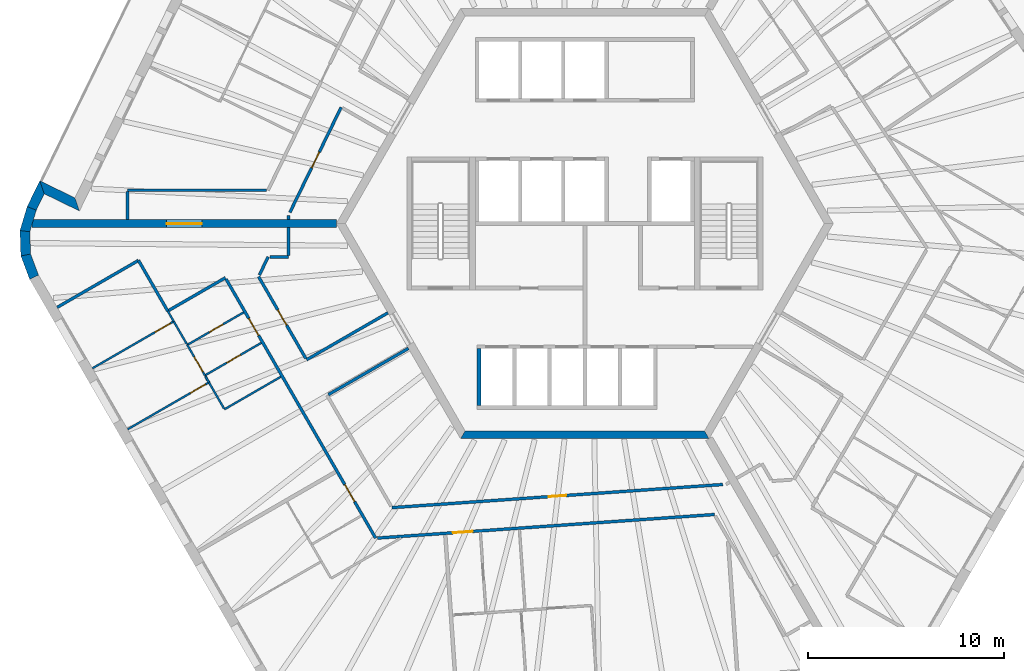
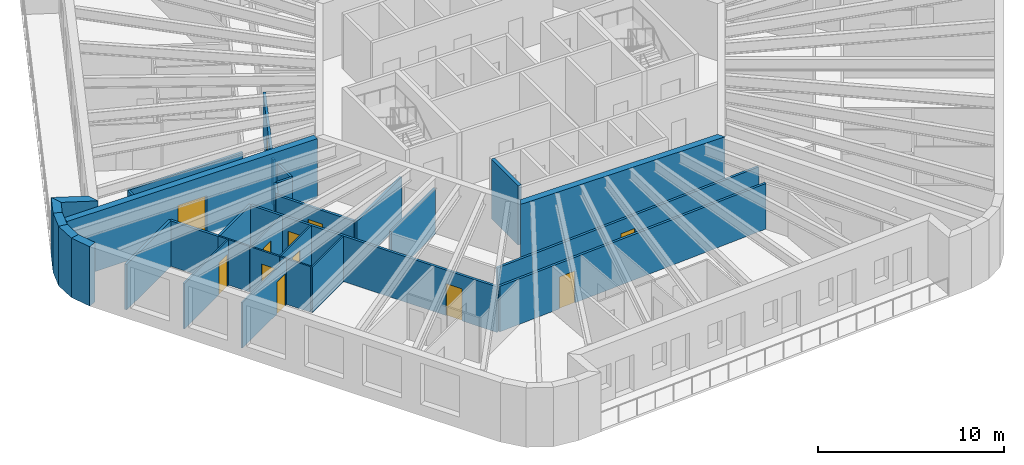
# One storey, part 4 of 12: 34 walls, 12 doors, 12 openings.
"""IFC4 building model written with IfcOpenShell, lengths in metres."""

import ifcopenshell
import ifcopenshell.guid

model = None  # the IFC model being written
_history = None  # IfcOwnerHistory: only IFC2X3 demands one
_inside = {}  # id of a spatial element -> (the spatial element, [elements in it])
_under = {}  # id of a project, library or spatial element -> (it, [spatial elements below it])
_declared = {}  # id of a project -> (the project, [libraries it declares])
_typed = {}  # id of a type object -> (the type object, [elements of that type])
_made_of = {}  # id of a material, layer set ... -> (it, [elements and type objects made of it])


def new_model(schema):
    """Start an empty IFC model of exactly this schema.

    Asked for "IFC4X3", IfcOpenShell would pick the latest addendum, in which some entities
    have other attributes; the version numbers below select the first issue.
    IFC2X3 requires an IfcOwnerHistory on every rooted entity: one is made here for all.
    """
    global model, _history
    if schema == "IFC4X3":
        model = ifcopenshell.file(schema_version=(4, 3, 0, 0))
    else:
        model = ifcopenshell.file(schema=schema)
    _inside.clear()
    _under.clear()
    _declared.clear()
    _typed.clear()
    _made_of.clear()
    _history = None
    if model.schema == "IFC2X3":
        org = make("IfcOrganization", Name="unknown")
        user = make(
            "IfcPersonAndOrganization",
            ThePerson=make("IfcPerson", FamilyName="unknown"),
            TheOrganization=org,
        )
        app = make(
            "IfcApplication",
            ApplicationDeveloper=org,
            Version="unknown",
            ApplicationFullName="unknown",
            ApplicationIdentifier="unknown",
        )
        _history = make(
            "IfcOwnerHistory",
            OwningUser=user,
            OwningApplication=app,
            ChangeAction="ADDED",
            CreationDate=0,
        )
    return model


def make(cls, **values):
    """One entity of the class cls with the attributes given. An attribute that is None is left unset."""
    return model.create_entity(
        cls, **{name: value for name, value in values.items() if value is not None}
    )


def rooted(cls, **values):
    """An entity with a GlobalId (a new one), such as an element, a storey or a relation."""
    return make(cls, GlobalId=ifcopenshell.guid.new(), OwnerHistory=_history, **values)


def si_unit(unit_type, name, prefix=None):
    """IfcSIUnit, for example si_unit("LENGTHUNIT", "METRE", prefix="MILLI")."""
    return make("IfcSIUnit", UnitType=unit_type, Prefix=prefix, Name=name)


def assignment(units):
    """IfcUnitAssignment: the units of a project."""
    return None if units is None else make("IfcUnitAssignment", Units=units)


def point(xyz):
    """IfcCartesianPoint."""
    return None if xyz is None else make("IfcCartesianPoint", Coordinates=xyz)


def direction(xyz):
    """IfcDirection."""
    return None if xyz is None else make("IfcDirection", DirectionRatios=xyz)


def frame(location, z_axis=None, x_axis=None):
    """IfcAxis2Placement3D, a coordinate frame: its origin and axes. An axis left out is left unset."""
    return make(
        "IfcAxis2Placement3D",
        Location=point(location),
        Axis=direction(z_axis),
        RefDirection=direction(x_axis),
    )


def frame_2d(location, x_axis=None):
    """IfcAxis2Placement2D, a coordinate frame in the plane: its origin and x axis."""
    return make(
        "IfcAxis2Placement2D", Location=point(location), RefDirection=direction(x_axis)
    )


def origin():
    """The frame at (0, 0, 0) with its axes left unset."""
    return frame((0.0, 0.0, 0.0))


def place(relative_to, where):
    """IfcLocalPlacement: puts the frame where relative to a parent placement (None: the world)."""
    return make(
        "IfcLocalPlacement", PlacementRelTo=relative_to, RelativePlacement=where
    )


def context(
    kind, dimensions, precision=None, world=None, true_north=None, identifier=None
):
    """IfcGeometricRepresentationContext, for example the 3D "Model" context."""
    return make(
        "IfcGeometricRepresentationContext",
        ContextIdentifier=identifier,
        ContextType=kind,
        CoordinateSpaceDimension=dimensions,
        Precision=precision,
        WorldCoordinateSystem=world,
        TrueNorth=true_north,
    )


def subcontext(parent, identifier, kind, view, scale=None):
    """IfcGeometricRepresentationSubContext, for example "Body" below "Model"."""
    return make(
        "IfcGeometricRepresentationSubContext",
        ContextIdentifier=identifier,
        ContextType=kind,
        ParentContext=parent,
        TargetScale=scale,
        TargetView=view,
    )


def project(units=None, contexts=None):
    """IfcProject with its units and contexts."""
    return rooted(
        "IfcProject",
        Name="project",
        RepresentationContexts=contexts,
        UnitsInContext=assignment(units),
    )


def spatial(cls, under=None, at=None, **own):
    """A site, building, storey or space (cls), placed at a placement, below another one or the project."""
    s = rooted(cls, ObjectPlacement=at, **own)
    if under is not None:
        _under.setdefault(under.id(), (under, []))[1].append(s)
    return s


def polyline(points):
    """IfcPolyline through the points."""
    return make("IfcPolyline", Points=[point(p) for p in points])


def profile(cls, at=None, kind="AREA", **sizes):
    """A parametric profile (cls). Its sizes go by their IFC names, for example OverallWidth=200.0."""
    return make(cls, ProfileType=kind, Position=at, **sizes)


def rectangle(**sizes):
    """IfcRectangleProfileDef."""
    return profile("IfcRectangleProfileDef", **sizes)


def outline(outer, holes=None, kind="AREA"):
    """IfcArbitraryClosedProfileDef: a profile drawn as a closed curve; with holes, ...WithVoids."""
    if holes is None:
        return make("IfcArbitraryClosedProfileDef", ProfileType=kind, OuterCurve=outer)
    return make(
        "IfcArbitraryProfileDefWithVoids",
        ProfileType=kind,
        OuterCurve=outer,
        InnerCurves=holes,
    )


def extrude(swept, where, along, depth):
    """IfcExtrudedAreaSolid: the profile swept, set in the frame where, extruded along a direction by depth."""
    return make(
        "IfcExtrudedAreaSolid",
        SweptArea=swept,
        Position=where,
        ExtrudedDirection=direction(along),
        Depth=depth,
    )


def shape(context_of_items, identifier, shape_type, items):
    """IfcShapeRepresentation: the items that make up one representation, for example the "Body"."""
    return make(
        "IfcShapeRepresentation",
        ContextOfItems=context_of_items,
        RepresentationIdentifier=identifier,
        RepresentationType=shape_type,
        Items=items,
    )


def material(Name=None, Category=None):
    """IfcMaterial."""
    return make("IfcMaterial", Name=Name, Category=Category)


def layer(
    of_material, thickness, ventilated=None, Name=None, Category=None, Priority=None
):
    """IfcMaterialLayer: one layer of a wall or slab, of a material (None: an air gap)."""
    return make(
        "IfcMaterialLayer",
        Material=of_material,
        LayerThickness=thickness,
        IsVentilated=ventilated,
        Name=Name,
        Category=Category,
        Priority=Priority,
    )


def layer_set(layers, Name=None):
    """IfcMaterialLayerSet."""
    return make("IfcMaterialLayerSet", MaterialLayers=layers, LayerSetName=Name)


def made_of(thing, what):
    """Note that an element or type object is made of a material, layer set ...; save() writes the relation."""
    if what is not None:
        _made_of.setdefault(what.id(), (what, []))[1].append(thing)
    return thing


def type_object(cls, material=None, **own):
    """A type object (cls), such as IfcWallType, which elements share."""
    return made_of(rooted(cls, **own), material)


def element(
    cls,
    number,
    at=None,
    inside=None,
    cuts=None,
    type_object=None,
    material=None,
    context=None,
    identifier="Body",
    shape_type=None,
    held_by="IfcProductDefinitionShape",
    body=None,
    shapes=None,
    **own,
):
    """One element of the class cls, such as IfcWall. Its Tag is "e" and its number.

    at: its placement. inside: the storey or other place that contains it. cuts: it is an
    opening in that element (IfcRelVoidsElement). A single representation is given by context,
    identifier, shape_type and body (its items); several are given by shapes. held_by: the class
    of the entity that holds the representations. save() writes the other relations.
    """
    e = rooted(cls, Tag="e%d" % number, ObjectPlacement=at, **own)
    if body is not None:
        shapes = [shape(context, identifier, shape_type, body)]
    if shapes is not None:
        e.Representation = make(held_by, Representations=shapes)
    if inside is not None:
        _inside.setdefault(inside.id(), (inside, []))[1].append(e)
    if cuts is not None:
        rooted(
            "IfcRelVoidsElement", RelatingBuildingElement=cuts, RelatedOpeningElement=e
        )
    if type_object is not None:
        _typed.setdefault(type_object.id(), (type_object, []))[1].append(e)
    return made_of(e, material)


def fill(opening, filler):
    """IfcRelFillsElement: the door or window that sits in an opening."""
    return rooted(
        "IfcRelFillsElement",
        RelatingOpeningElement=opening,
        RelatedBuildingElement=filler,
    )


def aggregate(whole, parts):
    """IfcRelAggregates: a whole, such as a stair, and the parts it consists of."""
    return rooted("IfcRelAggregates", RelatingObject=whole, RelatedObjects=parts)


def save(model, path):
    """Write the relations noted so far, then the file.

    IfcRelAggregates (storeys below a building ...), IfcRelContainedInSpatialStructure (elements
    in a storey), IfcRelDefinesByType, IfcRelAssociatesMaterial and IfcRelDeclares: one each for
    every whole, place, type object, material and project.
    """
    for whole, parts in _under.values():
        aggregate(whole, parts)
    for where, things in _inside.values():
        rooted(
            "IfcRelContainedInSpatialStructure",
            RelatedElements=things,
            RelatingStructure=where,
        )
    for kind, things in _typed.values():
        rooted("IfcRelDefinesByType", RelatedObjects=things, RelatingType=kind)
    for what, things in _made_of.values():
        rooted("IfcRelAssociatesMaterial", RelatedObjects=things, RelatingMaterial=what)
    for by, libraries in _declared.values():
        rooted("IfcRelDeclares", RelatingContext=by, RelatedDefinitions=libraries)
    model.write(path)


model = new_model("IFC4")

# Units and contexts
model_context = context("Model", 3, precision=1e-05, world=origin(), true_north=direction((0.0, 1.0)))
body_context = subcontext(model_context, "Body", "Model", "MODEL_VIEW")
ifc_project = project(units=[si_unit("LENGTHUNIT", "METRE"), si_unit("AREAUNIT", "SQUARE_METRE"), si_unit("VOLUMEUNIT", "CUBIC_METRE"), si_unit("PLANEANGLEUNIT", "RADIAN"), si_unit("MASSUNIT", "GRAM", prefix="KILO")], contexts=[model_context])

# Site, building, storey
site_placement = place(None, origin())
site = spatial("IfcSite", under=ifc_project, at=site_placement, CompositionType="ELEMENT")
building_placement = place(site_placement, origin())
building = spatial("IfcBuilding", under=site, at=building_placement, Name="Tarnside Tower", CompositionType="ELEMENT")
storey_placement = place(building_placement, frame((0.0, 0.0, 283.5)))
storey = spatial("IfcBuildingStorey", under=building, at=storey_placement, Name="L68", CompositionType="ELEMENT", Elevation=283.5)

# Walls
ifc_material_1 = material(Name="Gypsum board partition on steel studs", Category="steel")
ifc_layer_1 = layer(ifc_material_1, 0.10009765625)
ifc_layer_set_1 = layer_set([ifc_layer_1], Name="Bathroom wall 100")
wall_type_1 = type_object("IfcWallType", Name="Bathroom wall 100", PredefinedType="PARTITIONING", material=ifc_layer_set_1)
wall_1_placement = place(storey_placement, frame((-15.540283203125, -7.83349609375, 0.0), z_axis=(0.0, 0.0, 1.0), x_axis=(-0.866020521143, -0.500008456887, 0.0)))
element("IfcWall", 1, at=wall_1_placement, inside=storey, type_object=wall_type_1, Name="Bathroom wall 22118", PredefinedType="PARTITIONING", context=body_context, shape_type="SweptSolid", body=[
    extrude(rectangle(XDim=3.3251953125, YDim=0.10009765625, at=frame_2d((1.66259765625, 0.0))), origin(), (0.0, 0.0, 1.0), 2.98779296875),
])
wall_2_placement = place(storey_placement, frame((-18.44482421875, -9.45263671875, 0.0), z_axis=(0.0, 0.0, 1.0), x_axis=(-0.500024172624, 0.866011447264, 0.0)))
element("IfcWall", 2, at=wall_2_placement, inside=storey, type_object=wall_type_1, Name="Bathroom wall 22119", PredefinedType="PARTITIONING", context=body_context, shape_type="SweptSolid", body=[
    extrude(rectangle(XDim=1.541015625, YDim=0.10009765625, at=frame_2d((0.7705078125, 0.0))), origin(), (0.0, 0.0, 1.0), 2.98779296875),
])

# Wall, opening, door
wall_3_placement = place(storey_placement, frame((-17.440185546875, -4.54248046875, 0.0), z_axis=(0.0, 0.0, 1.0), x_axis=(-0.866020521143, -0.500008456887, 0.0)))
wall_3 = element("IfcWall", 3, at=wall_3_placement, inside=storey, type_object=wall_type_1, Name="Bathroom wall 22122", PredefinedType="PARTITIONING", context=body_context, shape_type="SweptSolid", body=[
    extrude(rectangle(XDim=3.3251953125, YDim=0.10009765625, at=frame_2d((1.66259765625, 0.0))), origin(), (0.0, 0.0, 1.0), 2.98779296875),
])
opening_1_placement = place(wall_3_placement, frame((1.22509765625, 0.0, 0.0)))
opening_1 = element("IfcOpeningElement", 4, at=opening_1_placement, cuts=wall_3, Name="Opening D-B1", PredefinedType="OPENING", context=body_context, shape_type="SweptSolid", body=[
    extrude(rectangle(XDim=0.800048828125, YDim=2.10009765625, at=frame_2d((0.39990234375, 1.050048828125))), frame((0.0, 0.06005859375, 0.0), z_axis=(0.0, -1.0, 0.0), x_axis=(1.0, 0.0, 0.0)), (0.0, 0.0, 1.0), 0.1201171875),
])
ifc_material_2 = material(Name="Timber door leaf", Category="wood")
door_type_1 = type_object("IfcDoorType", Name="Bathroom door 800", OperationType="NOTDEFINED", PredefinedType="DOOR", material=ifc_material_2)
door_1_placement = place(opening_1_placement, origin())
door_1 = element("IfcDoor", 5, at=door_1_placement, inside=storey, type_object=door_type_1, Name="Bathroom door 22031", OperationType="SINGLE_SWING_RIGHT", OverallHeight=2.10009765625, OverallWidth=0.800048828125, PredefinedType="DOOR", context=body_context, shape_type="SweptSolid", body=[
    extrude(rectangle(XDim=0.800048828125, YDim=2.10009765625, at=frame_2d((0.39990234375, 1.050048828125))), frame((0.0, 0.02490234375, 0.0), z_axis=(0.0, -1.0, 0.0), x_axis=(1.0, 0.0, 0.0)), (0.0, 0.0, 1.0), 0.050048828125),
])
fill(opening_1, door_1)

wall_4_placement = place(storey_placement, frame((-19.419677734375, -7.763916015625, 0.0), z_axis=(0.0, 0.0, 1.0), x_axis=(0.866002163101, 0.500040251884, 0.0)))
wall_4 = element("IfcWall", 6, at=wall_4_placement, inside=storey, type_object=wall_type_1, Name="Bathroom wall 22124", PredefinedType="PARTITIONING", context=body_context, shape_type="SweptSolid", body=[
    extrude(rectangle(XDim=3.324951171875, YDim=0.10009765625, at=frame_2d((1.66259765625, 0.0))), origin(), (0.0, 0.0, 1.0), 2.98779296875),
])
opening_2_placement = place(wall_4_placement, frame((1.300048828125, 0.0, 0.0)))
opening_2 = element("IfcOpeningElement", 7, at=opening_2_placement, cuts=wall_4, Name="Opening D-B1", PredefinedType="OPENING", context=body_context, shape_type="SweptSolid", body=[
    extrude(rectangle(XDim=0.800048828125, YDim=2.10009765625, at=frame_2d((0.39990234375, 1.050048828125))), frame((0.0, 0.06005859375, 0.0), z_axis=(0.0, -1.0, 0.0), x_axis=(1.0, 0.0, 0.0)), (0.0, 0.0, 1.0), 0.1201171875),
])
door_2_placement = place(opening_2_placement, origin())
door_2 = element("IfcDoor", 8, at=door_2_placement, inside=storey, type_object=door_type_1, Name="Bathroom door 22040", OperationType="SINGLE_SWING_LEFT", OverallHeight=2.10009765625, OverallWidth=0.800048828125, PredefinedType="DOOR", context=body_context, shape_type="SweptSolid", body=[
    extrude(rectangle(XDim=0.800048828125, YDim=2.10009765625, at=frame_2d((0.39990234375, 1.050048828125))), frame((0.0, 0.02490234375, 0.0), z_axis=(0.0, -1.0, 0.0), x_axis=(1.0, 0.0, 0.0)), (0.0, 0.0, 1.0), 0.050048828125),
])
fill(opening_2, door_2)

# Walls
wall_5_placement = place(storey_placement, frame((-21.32080078125, -4.47119140625, 0.0), z_axis=(0.0, 0.0, 1.0), x_axis=(0.499779910804, -0.866152435058, 0.0)))
element("IfcWall", 9, at=wall_5_placement, inside=storey, type_object=wall_type_1, Name="Bathroom wall 22125", PredefinedType="PARTITIONING", context=body_context, shape_type="SweptSolid", body=[
    extrude(rectangle(XDim=0.613037109375, YDim=0.10009765625, at=frame_2d((0.306640625, 0.0))), origin(), (0.0, 0.0, 1.0), 2.98779296875),
])
wall_6_placement = place(storey_placement, frame((-21.014404296875, -5.002197265625, 0.0), z_axis=(0.0, 0.0, 1.0), x_axis=(0.500074377092, -0.865982457891, 0.0)))
element("IfcWall", 10, at=wall_6_placement, inside=storey, type_object=wall_type_1, Name="Bathroom wall 22126", PredefinedType="PARTITIONING", context=body_context, shape_type="SweptSolid", body=[
    extrude(rectangle(XDim=1.341064453125, YDim=0.10009765625, at=frame_2d((0.67041015625, 0.0))), origin(), (0.0, 0.0, 1.0), 2.98779296875),
])
wall_7_placement = place(storey_placement, frame((-19.21337890625, -8.12158203125, 0.0), z_axis=(0.0, 0.0, 1.0), x_axis=(-0.499683639304, 0.866207977689, 0.0)))
element("IfcWall", 11, at=wall_7_placement, inside=storey, type_object=wall_type_1, Name="Bathroom wall 22128", PredefinedType="PARTITIONING", context=body_context, shape_type="SweptSolid", body=[
    extrude(rectangle(XDim=0.363037109375, YDim=0.10009765625, at=frame_2d((0.181640625, 0.0))), origin(), (0.0, 0.0, 1.0), 2.98779296875),
])
ifc_material_3 = material(Name="Concrete C60/75", Category="concrete")
ifc_layer_2 = layer(ifc_material_3, 0.39990234375)
ifc_layer_set_2 = layer_set([ifc_layer_2], Name="Core wall Z3 400 C60/75")
wall_type_2 = type_object("IfcWallType", Name="Core wall Z3 400 C60/75", PredefinedType="SHEAR", material=ifc_layer_set_2)
wall_8_placement = place(storey_placement, frame((-6.2353515625, -10.800048828125, -0.14990234375), z_axis=(0.0, 0.0, 1.0), x_axis=(1.0, 0.0, 0.0)))
element("IfcWall", 12, at=wall_8_placement, inside=storey, type_object=wall_type_2, Name="L68 core wall face 4", PredefinedType="SHEAR", context=body_context, shape_type="SweptSolid", body=[
    extrude(outline(polyline([(-0.115478515625, -0.199951171875), (12.586181640625, -0.199951171875), (12.355224609375, 0.199951171875), (0.115478515625, 0.199951171875), (-0.115478515625, -0.199951171875)])), origin(), (0.0, 0.0, 1.0), 3.89990234375),
])

# Wall, opening, door
wall_9_placement = place(storey_placement, frame((-12.70166015625, 0.0, -0.14990234375), z_axis=(0.0, 0.0, 1.0), x_axis=(-1.0, 0.0, 0.0)))
wall_9 = element("IfcWall", 13, at=wall_9_placement, inside=storey, type_object=wall_type_2, Name="L68 spine wall 2", PredefinedType="SHEAR", context=body_context, shape_type="SweptSolid", body=[
    extrude(rectangle(XDim=15.54443359375, YDim=0.39990234375, at=frame_2d((7.772216796875, 0.0))), origin(), (0.0, 0.0, 1.0), 3.89990234375),
])
opening_3_placement = place(wall_9_placement, frame((6.872314453125, 0.0, 0.14990234375)))
opening_3 = element("IfcOpeningElement", 14, at=opening_3_placement, cuts=wall_9, Name="Opening CD-SPN", PredefinedType="OPENING", context=body_context, shape_type="SweptSolid", body=[
    extrude(rectangle(XDim=1.800048828125, YDim=2.39990234375, at=frame_2d((0.89990234375, 1.199951171875))), frame((0.0, 0.2099609375, 0.0), z_axis=(0.0, -1.0, 0.0), x_axis=(1.0, 0.0, 0.0)), (0.0, 0.0, 1.0), 0.419921875),
])
ifc_material_4 = material(Name="Steel fire door", Category="steel")
door_type_2 = type_object("IfcDoorType", Name="Spine passage double door FD60 1800x2400", OperationType="NOTDEFINED", PredefinedType="DOOR", material=ifc_material_4)
door_3_placement = place(opening_3_placement, origin())
door_3 = element("IfcDoor", 15, at=door_3_placement, inside=storey, type_object=door_type_2, Name="L68 spine passage door 2", OperationType="DOUBLE_DOOR_SINGLE_SWING", OverallHeight=2.39990234375, OverallWidth=1.800048828125, PredefinedType="DOOR", context=body_context, shape_type="SweptSolid", body=[
    extrude(rectangle(XDim=1.800048828125, YDim=2.39990234375, at=frame_2d((0.89990234375, 1.199951171875))), frame((0.0, 0.02490234375, 0.0), z_axis=(0.0, -1.0, 0.0), x_axis=(1.0, 0.0, 0.0)), (0.0, 0.0, 1.0), 0.050048828125),
])
fill(opening_3, door_3)

# Walls
ifc_layer_3 = layer(ifc_material_1, 0.14990234375)
ifc_layer_set_3 = layer_set([ifc_layer_3], Name="Corridor wall 150 EI 60")
wall_type_3 = type_object("IfcWallType", Name="Corridor wall 150 EI 60", PredefinedType="PARTITIONING", material=ifc_layer_set_3)
wall_10_placement = place(storey_placement, frame((-16.277099609375, 1.699951171875, 0.0), z_axis=(0.0, 0.0, 1.0), x_axis=(-1.0, 0.0, 0.0)))
element("IfcWall", 16, at=wall_10_placement, inside=storey, type_object=wall_type_3, Name="Corridor wall 22015", PredefinedType="PARTITIONING", context=body_context, shape_type="SweptSolid", body=[
    extrude(rectangle(XDim=7.096923828125, YDim=0.14990234375, at=frame_2d((3.54833984375, 0.0))), origin(), (0.0, 0.0, 1.0), 2.98779296875),
])
wall_11_placement = place(storey_placement, frame((-23.3740234375, 1.625, 0.0), z_axis=(0.0, 0.0, 1.0), x_axis=(0.0, -1.0, 0.0)))
element("IfcWall", 17, at=wall_11_placement, inside=storey, type_object=wall_type_3, Name="Corridor wall 22016", PredefinedType="PARTITIONING", context=body_context, shape_type="SweptSolid", body=[
    extrude(rectangle(XDim=1.425048828125, YDim=0.14990234375, at=frame_2d((0.71240234375, 0.0))), origin(), (0.0, 0.0, 1.0), 2.98779296875),
])
wall_12_placement = place(storey_placement, frame((-15.15380859375, 0.199951171875, 0.0), z_axis=(0.0, 0.0, 1.0), x_axis=(0.0, 1.0, 0.0)))
element("IfcWall", 18, at=wall_12_placement, inside=storey, type_object=wall_type_3, Name="Corridor wall 22026", PredefinedType="PARTITIONING", context=body_context, shape_type="SweptSolid", body=[
    extrude(rectangle(XDim=0.210205078125, YDim=0.14990234375, at=frame_2d((0.10498046875, 0.0))), origin(), (0.0, 0.0, 1.0), 2.98779296875),
])

# Wall, opening, door
wall_13_placement = place(storey_placement, frame((-15.078857421875, 0.563720703125, 0.0), z_axis=(0.0, 0.0, 1.0), x_axis=(0.438367391904, 0.898795877669, 0.0)))
wall_13 = element("IfcWall", 19, at=wall_13_placement, inside=storey, type_object=wall_type_3, Name="Corridor wall 22027", PredefinedType="PARTITIONING", context=body_context, shape_type="SweptSolid", body=[
    extrude(rectangle(XDim=5.987060546875, YDim=0.14990234375, at=frame_2d((2.99365234375, 0.0))), origin(), (0.0, 0.0, 1.0), 2.98779296875),
])
opening_4_placement = place(wall_13_placement, frame((2.54345703125, 0.0, 0.0)))
opening_4 = element("IfcOpeningElement", 20, at=opening_4_placement, cuts=wall_13, Name="Opening D-S1", PredefinedType="OPENING", context=body_context, shape_type="SweptSolid", body=[
    extrude(rectangle(XDim=0.89990234375, YDim=2.10009765625, at=frame_2d((0.449951171875, 1.050048828125))), frame((0.0, 0.0849609375, 0.0), z_axis=(0.0, -1.0, 0.0), x_axis=(1.0, 0.0, 0.0)), (0.0, 0.0, 1.0), 0.169921875),
])
door_type_3 = type_object("IfcDoorType", Name="Service room door 900 FD30S", OperationType="NOTDEFINED", PredefinedType="DOOR", material=ifc_material_2)
door_4_placement = place(opening_4_placement, origin())
door_4 = element("IfcDoor", 21, at=door_4_placement, inside=storey, type_object=door_type_3, Name="Service door 22087", OperationType="SINGLE_SWING_LEFT", OverallHeight=2.10009765625, OverallWidth=0.89990234375, PredefinedType="DOOR", context=body_context, shape_type="SweptSolid", body=[
    extrude(rectangle(XDim=0.89990234375, YDim=2.10009765625, at=frame_2d((0.449951171875, 1.050048828125))), frame((0.0, 0.02490234375, 0.0), z_axis=(0.0, -1.0, 0.0), x_axis=(1.0, 0.0, 0.0)), (0.0, 0.0, 1.0), 0.050048828125),
])
fill(opening_4, door_4)

# Wall, openings, doors
wall_14_placement = place(storey_placement, frame((-18.337890625, -2.837890625, 0.0), z_axis=(0.0, 0.0, 1.0), x_axis=(0.499999693481, -0.866025580753, 0.0)))
wall_14 = element("IfcWall", 22, at=wall_14_placement, inside=storey, type_object=wall_type_3, Name="Corridor wall 22029", PredefinedType="PARTITIONING", context=body_context, shape_type="SweptSolid", body=[
    extrude(rectangle(XDim=15.29638671875, YDim=0.14990234375, at=frame_2d((7.648193359375, 0.0))), origin(), (0.0, 0.0, 1.0), 2.98779296875),
])
opening_5_placement = place(wall_14_placement, frame((2.324951171875, 0.0, 0.0)))
opening_5 = element("IfcOpeningElement", 23, at=opening_5_placement, cuts=wall_14, Name="Opening D-E1", PredefinedType="OPENING", context=body_context, shape_type="SweptSolid", body=[
    extrude(rectangle(XDim=1.0, YDim=2.10009765625, at=frame_2d((0.5, 1.050048828125))), frame((0.0, 0.0849609375, 0.0), z_axis=(0.0, -1.0, 0.0), x_axis=(1.0, 0.0, 0.0)), (0.0, 0.0, 1.0), 0.169921875),
])
opening_6_placement = place(wall_14_placement, frame((12.135986328125, 0.0, 0.0)))
opening_6 = element("IfcOpeningElement", 24, at=opening_6_placement, cuts=wall_14, Name="Opening D-E1", PredefinedType="OPENING", context=body_context, shape_type="SweptSolid", body=[
    extrude(rectangle(XDim=1.0, YDim=2.10009765625, at=frame_2d((0.5, 1.050048828125))), frame((0.0, 0.0849609375, 0.0), z_axis=(0.0, -1.0, 0.0), x_axis=(1.0, 0.0, 0.0)), (0.0, 0.0, 1.0), 0.169921875),
])
door_type_4 = type_object("IfcDoorType", Name="Unit entrance door 1000 FD30S", OperationType="NOTDEFINED", PredefinedType="DOOR", material=ifc_material_2)
door_5_placement = place(opening_5_placement, origin())
door_5 = element("IfcDoor", 25, at=door_5_placement, inside=storey, type_object=door_type_4, Name="Unit door 22030", OperationType="SINGLE_SWING_RIGHT", OverallHeight=2.10009765625, OverallWidth=1.0, PredefinedType="DOOR", context=body_context, shape_type="SweptSolid", body=[
    extrude(rectangle(XDim=1.0, YDim=2.10009765625, at=frame_2d((0.5, 1.050048828125))), frame((0.0, 0.02490234375, 0.0), z_axis=(0.0, -1.0, 0.0), x_axis=(1.0, 0.0, 0.0)), (0.0, 0.0, 1.0), 0.050048828125),
])
fill(opening_5, door_5)
door_6_placement = place(opening_6_placement, origin())
door_6 = element("IfcDoor", 26, at=door_6_placement, inside=storey, type_object=door_type_4, Name="Unit door 22041", OperationType="SINGLE_SWING_RIGHT", OverallHeight=2.10009765625, OverallWidth=1.0, PredefinedType="DOOR", context=body_context, shape_type="SweptSolid", body=[
    extrude(rectangle(XDim=1.0, YDim=2.10009765625, at=frame_2d((0.5, 1.050048828125))), frame((0.0, 0.02490234375, 0.0), z_axis=(0.0, -1.0, 0.0), x_axis=(1.0, 0.0, 0.0)), (0.0, 0.0, 1.0), 0.050048828125),
])
fill(opening_6, door_6)

# Walls
wall_15_placement = place(storey_placement, frame((-21.31982421875, -4.47314453125, 0.0), z_axis=(0.0, 0.0, 1.0), x_axis=(0.866007419912, 0.500031147688, 0.0)))
element("IfcWall", 27, at=wall_15_placement, inside=storey, type_object=wall_type_3, Name="Corridor wall 22031", PredefinedType="PARTITIONING", context=body_context, shape_type="SweptSolid", body=[
    extrude(rectangle(XDim=3.400146484375, YDim=0.14990234375, at=frame_2d((1.7001953125, 0.0))), origin(), (0.0, 0.0, 1.0), 2.98779296875),
])
wall_16_placement = place(storey_placement, frame((-26.97119140625, -4.284423828125, 0.0), z_axis=(0.0, 0.0, 1.0), x_axis=(0.866017831539, 0.500013115284, 0.0)))
element("IfcWall", 28, at=wall_16_placement, inside=storey, type_object=wall_type_3, Name="Corridor wall 22033", PredefinedType="PARTITIONING", context=body_context, shape_type="SweptSolid", body=[
    extrude(rectangle(XDim=4.798583984375, YDim=0.14990234375, at=frame_2d((2.3994140625, 0.0))), origin(), (0.0, 0.0, 1.0), 2.98779296875),
])
wall_17_placement = place(storey_placement, frame((-22.813720703125, -1.885498046875, 0.0), z_axis=(0.0, 0.0, 1.0), x_axis=(0.499983857782, -0.866034723298, 0.0)))
element("IfcWall", 29, at=wall_17_placement, inside=storey, type_object=wall_type_3, Name="Corridor wall 22034", PredefinedType="PARTITIONING", context=body_context, shape_type="SweptSolid", body=[
    extrude(rectangle(XDim=2.9912109375, YDim=0.14990234375, at=frame_2d((1.49560546875, 0.0))), origin(), (0.0, 0.0, 1.0), 2.98779296875),
])

# Wall, opening, door
wall_18_placement = place(storey_placement, frame((-10.6064453125, -16.0791015625, 0.0), z_axis=(0.0, 0.0, 1.0), x_axis=(0.997563356349, 0.069766396426, 0.0)))
wall_18 = element("IfcWall", 30, at=wall_18_placement, inside=storey, type_object=wall_type_3, Name="Corridor wall 22036", PredefinedType="PARTITIONING", context=body_context, shape_type="SweptSolid", body=[
    extrude(rectangle(XDim=17.27294921875, YDim=0.14990234375, at=frame_2d((8.636474609375, 0.0))), origin(), (0.0, 0.0, 1.0), 2.98779296875),
])
opening_7_placement = place(wall_18_placement, frame((3.87744140625, 0.0, 0.0)))
opening_7 = element("IfcOpeningElement", 31, at=opening_7_placement, cuts=wall_18, Name="Opening D-E1", PredefinedType="OPENING", context=body_context, shape_type="SweptSolid", body=[
    extrude(rectangle(XDim=1.0, YDim=2.10009765625, at=frame_2d((0.5, 1.050048828125))), frame((0.0, 0.0849609375, 0.0), z_axis=(0.0, -1.0, 0.0), x_axis=(1.0, 0.0, 0.0)), (0.0, 0.0, 1.0), 0.169921875),
])
door_7_placement = place(opening_7_placement, origin())
door_7 = element("IfcDoor", 32, at=door_7_placement, inside=storey, type_object=door_type_4, Name="Unit door 22046", OperationType="SINGLE_SWING_LEFT", OverallHeight=2.10009765625, OverallWidth=1.0, PredefinedType="DOOR", context=body_context, shape_type="SweptSolid", body=[
    extrude(rectangle(XDim=1.0, YDim=2.10009765625, at=frame_2d((0.5, 1.050048828125))), frame((0.0, 0.02490234375, 0.0), z_axis=(0.0, -1.0, 0.0), x_axis=(1.0, 0.0, 0.0)), (0.0, 0.0, 1.0), 0.050048828125),
])
fill(opening_7, door_7)

# Wall
wall_19_placement = place(storey_placement, frame((-10.065673828125, -4.565673828125, 0.0), z_axis=(0.0, 0.0, 1.0), x_axis=(-0.866037363387, -0.499979284789, 0.0)))
element("IfcWall", 33, at=wall_19_placement, inside=storey, type_object=wall_type_3, Name="Corridor wall 22046", PredefinedType="PARTITIONING", context=body_context, shape_type="SweptSolid", body=[
    extrude(rectangle(XDim=4.800048828125, YDim=0.14990234375, at=frame_2d((2.39990234375, 0.0))), origin(), (0.0, 0.0, 1.0), 2.98779296875),
])

# Wall, opening, door
wall_20_placement = place(storey_placement, frame((-14.26025390625, -6.900634765625, 0.0), z_axis=(0.0, 0.0, 1.0), x_axis=(-0.499978899972, 0.866037585549, 0.0)))
wall_20 = element("IfcWall", 34, at=wall_20_placement, inside=storey, type_object=wall_type_3, Name="Corridor wall 22047", PredefinedType="PARTITIONING", context=body_context, shape_type="SweptSolid", body=[
    extrude(rectangle(XDim=4.834716796875, YDim=0.14990234375, at=frame_2d((2.41748046875, 0.0))), origin(), (0.0, 0.0, 1.0), 2.98779296875),
])
opening_8_placement = place(wall_20_placement, frame((1.96728515625, 0.0, 0.0)))
opening_8 = element("IfcOpeningElement", 35, at=opening_8_placement, cuts=wall_20, Name="Opening D-S1", PredefinedType="OPENING", context=body_context, shape_type="SweptSolid", body=[
    extrude(rectangle(XDim=0.89990234375, YDim=2.10009765625, at=frame_2d((0.449951171875, 1.050048828125))), frame((0.0, 0.0849609375, 0.0), z_axis=(0.0, -1.0, 0.0), x_axis=(1.0, 0.0, 0.0)), (0.0, 0.0, 1.0), 0.169921875),
])
door_8_placement = place(opening_8_placement, origin())
door_8 = element("IfcDoor", 36, at=door_8_placement, inside=storey, type_object=door_type_3, Name="Service door 22088", OperationType="SINGLE_SWING_RIGHT", OverallHeight=2.10009765625, OverallWidth=0.89990234375, PredefinedType="DOOR", context=body_context, shape_type="SweptSolid", body=[
    extrude(rectangle(XDim=0.89990234375, YDim=2.10009765625, at=frame_2d((0.449951171875, 1.050048828125))), frame((0.0, 0.02490234375, 0.0), z_axis=(0.0, -1.0, 0.0), x_axis=(1.0, 0.0, 0.0)), (0.0, 0.0, 1.0), 0.050048828125),
])
fill(opening_8, door_8)

# Walls
wall_21_placement = place(storey_placement, frame((-16.637939453125, -2.63232421875, 0.0), z_axis=(0.0, 0.0, 1.0), x_axis=(0.438437541994, 0.898761660158, 0.0)))
element("IfcWall", 37, at=wall_21_placement, inside=storey, type_object=wall_type_3, Name="Corridor wall 22048", PredefinedType="PARTITIONING", context=body_context, shape_type="SweptSolid", body=[
    extrude(rectangle(XDim=1.037353515625, YDim=0.14990234375, at=frame_2d((0.5185546875, 0.0))), origin(), (0.0, 0.0, 1.0), 2.98779296875),
])
wall_22_placement = place(storey_placement, frame((-16.099609375, -1.699951171875, 0.0), z_axis=(0.0, 0.0, 1.0), x_axis=(1.0, 0.0, 0.0)))
element("IfcWall", 38, at=wall_22_placement, inside=storey, type_object=wall_type_3, Name="Corridor wall 22049", PredefinedType="PARTITIONING", context=body_context, shape_type="SweptSolid", body=[
    extrude(rectangle(XDim=0.94580078125, YDim=0.14990234375, at=frame_2d((0.472900390625, 0.0))), origin(), (0.0, 0.0, 1.0), 2.98779296875),
])
wall_23_placement = place(storey_placement, frame((-15.15380859375, -1.625, 0.0), z_axis=(0.0, 0.0, 1.0), x_axis=(0.0, 1.0, 0.0)))
element("IfcWall", 39, at=wall_23_placement, inside=storey, type_object=wall_type_3, Name="Corridor wall 22050", PredefinedType="PARTITIONING", context=body_context, shape_type="SweptSolid", body=[
    extrude(rectangle(XDim=1.425048828125, YDim=0.14990234375, at=frame_2d((0.71240234375, 0.0))), origin(), (0.0, 0.0, 1.0), 2.98779296875),
])

# Wall, opening, door
wall_24_placement = place(storey_placement, frame((7.05126953125, -13.340576171875, 0.0), z_axis=(0.0, 0.0, 1.0), x_axis=(-0.997563599815, -0.069762915103, 0.0)))
wall_24 = element("IfcWall", 40, at=wall_24_placement, inside=storey, type_object=wall_type_3, Name="Corridor wall 22052", PredefinedType="PARTITIONING", context=body_context, shape_type="SweptSolid", body=[
    extrude(rectangle(XDim=16.951904296875, YDim=0.14990234375, at=frame_2d((8.47607421875, 0.0))), origin(), (0.0, 0.0, 1.0), 2.98779296875),
])
opening_9_placement = place(wall_24_placement, frame((8.02587890625, 0.0, 0.0)))
opening_9 = element("IfcOpeningElement", 41, at=opening_9_placement, cuts=wall_24, Name="Opening D-S1", PredefinedType="OPENING", context=body_context, shape_type="SweptSolid", body=[
    extrude(rectangle(XDim=0.89990234375, YDim=2.10009765625, at=frame_2d((0.449951171875, 1.050048828125))), frame((0.0, 0.0849609375, 0.0), z_axis=(0.0, -1.0, 0.0), x_axis=(1.0, 0.0, 0.0)), (0.0, 0.0, 1.0), 0.169921875),
])
door_9_placement = place(opening_9_placement, origin())
door_9 = element("IfcDoor", 42, at=door_9_placement, inside=storey, type_object=door_type_3, Name="Service door 22089", OperationType="SINGLE_SWING_LEFT", OverallHeight=2.10009765625, OverallWidth=0.89990234375, PredefinedType="DOOR", context=body_context, shape_type="SweptSolid", body=[
    extrude(rectangle(XDim=0.89990234375, YDim=2.10009765625, at=frame_2d((0.449951171875, 1.050048828125))), frame((0.0, 0.02490234375, 0.0), z_axis=(0.0, -1.0, 0.0), x_axis=(1.0, 0.0, 0.0)), (0.0, 0.0, 1.0), 0.050048828125),
])
fill(opening_9, door_9)

# Walls
wall_25_placement = place(storey_placement, frame((-13.107666015625, -8.746826171875, 0.0), z_axis=(0.0, 0.0, 1.0), x_axis=(0.866024684746, 0.500001245408, 0.0)))
element("IfcWall", 43, at=wall_25_placement, inside=storey, type_object=wall_type_3, Name="Corridor wall 22054", PredefinedType="PARTITIONING", context=body_context, shape_type="SweptSolid", body=[
    extrude(rectangle(XDim=4.72509765625, YDim=0.14990234375, at=frame_2d((2.362548828125, 0.0))), origin(), (0.0, 0.0, 1.0), 2.98779296875),
])
ifc_material_5 = material(Name="Concrete C40/50", Category="concrete")
ifc_layer_4 = layer(ifc_material_5, 0.199951171875)
ifc_layer_set_4 = layer_set([ifc_layer_4], Name="Lift shaft wall 200 C40/50")
wall_type_4 = type_object("IfcWallType", Name="Lift shaft wall 200 C40/50", PredefinedType="SHEAR", material=ifc_layer_set_4)
wall_26_placement = place(storey_placement, frame((-5.39990234375, -9.300048828125, -0.25), z_axis=(0.0, 0.0, 1.0), x_axis=(0.0, 1.0, 0.0)))
element("IfcWall", 44, at=wall_26_placement, inside=storey, type_object=wall_type_4, Name="L68 lift shaft partition R41", PredefinedType="SHEAR", context=body_context, shape_type="SweptSolid", body=[
    extrude(rectangle(XDim=2.900146484375, YDim=0.199951171875, at=frame_2d((1.4501953125, 0.0))), origin(), (0.0, 0.0, 1.0), 3.89990234375),
])
ifc_material_6 = material(Name="Dark zinc cladding")
ifc_layer_5 = layer(ifc_material_6, 0.10205078125)
ifc_material_7 = material(Name="Concrete C60/75 precast", Category="concrete")
ifc_layer_6 = layer(ifc_material_7, 0.298095703125)
ifc_material_8 = material(Name="Mineral wool insulation")
ifc_layer_7 = layer(ifc_material_8, 0.10009765625)
ifc_layer_set_5 = layer_set([ifc_layer_5, ifc_layer_6, ifc_layer_7], Name="Loggia wall 500 zinc faced")
wall_type_5 = type_object("IfcWallType", Name="Loggia wall 500 zinc faced", PredefinedType="SOLIDWALL", material=ifc_layer_set_5)
wall_27_placement = place(storey_placement, frame((-25.9482421875, 0.97607421875, -0.14990234375), z_axis=(0.0, 0.0, 1.0), x_axis=(-0.898802465371, 0.438353884714, 0.0)))
element("IfcWall", 45, at=wall_27_placement, inside=storey, type_object=wall_type_5, Name="Tube wall L68 F2 return 07", PredefinedType="SOLIDWALL", context=body_context, shape_type="SweptSolid", body=[
    extrude(outline(polyline([(0.25, -0.25), (2.25, -0.25), (1.75, 0.25), (-0.25, 0.25), (0.25, -0.25)])), origin(), (0.0, 0.0, 1.0), 3.89990234375),
])
wall_28_placement = place(storey_placement, frame((-27.745849609375, 1.852783203125, -0.14990234375), z_axis=(0.0, 0.0, 1.0), x_axis=(-0.438319390103, -0.898819287877, 0.0)))
element("IfcWall", 46, at=wall_28_placement, inside=storey, type_object=wall_type_5, Name="Tube wall L68 F2 stub 08", PredefinedType="SOLIDWALL", context=body_context, shape_type="SweptSolid", body=[
    extrude(outline(polyline([(-0.25, -0.25), (1.22021484375, -0.25), (1.17919921875, 0.25), (0.25, 0.25), (-0.25, -0.25)])), origin(), (0.0, 0.0, 1.0), 3.89990234375),
])

# Wall, opening, door
ifc_layer_8 = layer(ifc_material_1, 0.10009765625)
ifc_layer_set_6 = layer_set([ifc_layer_8], Name="Partition 100")
wall_type_6 = type_object("IfcWallType", Name="Partition 100", PredefinedType="PARTITIONING", material=ifc_layer_set_6)
wall_29_placement = place(storey_placement, frame((-19.257568359375, -8.144775390625, 0.0), z_axis=(0.0, 0.0, 1.0), x_axis=(-0.866033238375, -0.499986429846, 0.0)))
wall_29 = element("IfcWall", 47, at=wall_29_placement, inside=storey, type_object=wall_type_6, Name="Partition wall 22117", PredefinedType="PARTITIONING", context=body_context, shape_type="SweptSolid", body=[
    extrude(rectangle(XDim=4.750244140625, YDim=0.10009765625, at=frame_2d((2.375, 0.0))), origin(), (0.0, 0.0, 1.0), 2.98779296875),
])
opening_10_placement = place(wall_29_placement, frame((0.14990234375, 0.0, 0.0)))
opening_10 = element("IfcOpeningElement", 48, at=opening_10_placement, cuts=wall_29, Name="Opening D-I1", PredefinedType="OPENING", context=body_context, shape_type="SweptSolid", body=[
    extrude(rectangle(XDim=0.89990234375, YDim=2.10009765625, at=frame_2d((0.449951171875, 1.050048828125))), frame((0.0, 0.06005859375, 0.0), z_axis=(0.0, -1.0, 0.0), x_axis=(1.0, 0.0, 0.0)), (0.0, 0.0, 1.0), 0.1201171875),
])
door_type_5 = type_object("IfcDoorType", Name="Internal door 900", OperationType="NOTDEFINED", PredefinedType="DOOR", material=ifc_material_2)
door_10_placement = place(opening_10_placement, origin())
door_10 = element("IfcDoor", 49, at=door_10_placement, inside=storey, type_object=door_type_5, Name="Internal door 22039", OperationType="SINGLE_SWING_RIGHT", OverallHeight=2.10009765625, OverallWidth=0.89990234375, PredefinedType="DOOR", context=body_context, shape_type="SweptSolid", body=[
    extrude(rectangle(XDim=0.89990234375, YDim=2.10009765625, at=frame_2d((0.449951171875, 1.050048828125))), frame((0.0, 0.02490234375, 0.0), z_axis=(0.0, -1.0, 0.0), x_axis=(1.0, 0.0, 0.0)), (0.0, 0.0, 1.0), 0.050048828125),
])
fill(opening_10, door_10)

wall_30_placement = place(storey_placement, frame((-20.32080078125, -6.203369140625, 0.0), z_axis=(0.0, 0.0, 1.0), x_axis=(0.500054364951, -0.86599401389, 0.0)))
wall_30 = element("IfcWall", 50, at=wall_30_placement, inside=storey, type_object=wall_type_6, Name="Partition wall 22123", PredefinedType="PARTITIONING", context=body_context, shape_type="SweptSolid", body=[
    extrude(rectangle(XDim=1.803955078125, YDim=0.10009765625, at=frame_2d((0.90185546875, 0.0))), origin(), (0.0, 0.0, 1.0), 2.98779296875),
])
opening_11_placement = place(wall_30_placement, frame((0.7041015625, 0.0, 0.0)))
opening_11 = element("IfcOpeningElement", 51, at=opening_11_placement, cuts=wall_30, Name="Opening D-I1", PredefinedType="OPENING", context=body_context, shape_type="SweptSolid", body=[
    extrude(rectangle(XDim=0.89990234375, YDim=2.10009765625, at=frame_2d((0.449951171875, 1.050048828125))), frame((0.0, 0.06005859375, 0.0), z_axis=(0.0, -1.0, 0.0), x_axis=(1.0, 0.0, 0.0)), (0.0, 0.0, 1.0), 0.1201171875),
])
door_11_placement = place(opening_11_placement, origin())
door_11 = element("IfcDoor", 52, at=door_11_placement, inside=storey, type_object=door_type_5, Name="Internal door 22034", OperationType="SINGLE_SWING_RIGHT", OverallHeight=2.10009765625, OverallWidth=0.89990234375, PredefinedType="DOOR", context=body_context, shape_type="SweptSolid", body=[
    extrude(rectangle(XDim=0.89990234375, YDim=2.10009765625, at=frame_2d((0.449951171875, 1.050048828125))), frame((0.0, 0.02490234375, 0.0), z_axis=(0.0, -1.0, 0.0), x_axis=(1.0, 0.0, 0.0)), (0.0, 0.0, 1.0), 0.050048828125),
])
fill(opening_11, door_11)

wall_31_placement = place(storey_placement, frame((-25.171142578125, -7.402099609375, 0.0), z_axis=(0.0, 0.0, 1.0), x_axis=(0.866020389056, 0.500008685663, 0.0)))
wall_31 = element("IfcWall", 53, at=wall_31_placement, inside=storey, type_object=wall_type_6, Name="Partition wall 22127", PredefinedType="PARTITIONING", context=body_context, shape_type="SweptSolid", body=[
    extrude(rectangle(XDim=4.75, YDim=0.10009765625, at=frame_2d((2.375, 0.0))), origin(), (0.0, 0.0, 1.0), 2.98779296875),
])
opening_12_placement = place(wall_31_placement, frame((3.699951171875, 0.0, 0.0)))
opening_12 = element("IfcOpeningElement", 54, at=opening_12_placement, cuts=wall_31, Name="Opening D-I1", PredefinedType="OPENING", context=body_context, shape_type="SweptSolid", body=[
    extrude(rectangle(XDim=0.89990234375, YDim=2.10009765625, at=frame_2d((0.449951171875, 1.050048828125))), frame((0.0, 0.06005859375, 0.0), z_axis=(0.0, -1.0, 0.0), x_axis=(1.0, 0.0, 0.0)), (0.0, 0.0, 1.0), 0.1201171875),
])
door_12_placement = place(opening_12_placement, origin())
door_12 = element("IfcDoor", 55, at=door_12_placement, inside=storey, type_object=door_type_5, Name="Internal door 22037", OperationType="SINGLE_SWING_RIGHT", OverallHeight=2.10009765625, OverallWidth=0.89990234375, PredefinedType="DOOR", context=body_context, shape_type="SweptSolid", body=[
    extrude(rectangle(XDim=0.89990234375, YDim=2.10009765625, at=frame_2d((0.449951171875, 1.050048828125))), frame((0.0, 0.02490234375, 0.0), z_axis=(0.0, -1.0, 0.0), x_axis=(1.0, 0.0, 0.0)), (0.0, 0.0, 1.0), 0.050048828125),
])
fill(opening_12, door_12)

# Walls
ifc_material_9 = material(Name="Facing brick", Category="masonry")
ifc_layer_9 = layer(ifc_material_9, 0.10205078125)
ifc_layer_10 = layer(ifc_material_7, 0.298095703125)
ifc_layer_11 = layer(ifc_material_8, 0.10009765625)
ifc_layer_set_7 = layer_set([ifc_layer_9, ifc_layer_10, ifc_layer_11], Name="Tube wall 500 brick faced")
wall_type_7 = type_object("IfcWallType", Name="Tube wall 500 brick faced", PredefinedType="SOLIDWALL", material=ifc_layer_set_7)
wall_32_placement = place(storey_placement, frame((-28.271728515625, 0.7744140625, -0.14990234375), z_axis=(0.0, 0.0, 1.0), x_axis=(-0.286813843218, -0.957986335674, 0.0)))
element("IfcWall", 56, at=wall_32_placement, inside=storey, type_object=wall_type_7, Name="Tube wall L68 F2 chord 09", PredefinedType="SOLIDWALL", context=body_context, shape_type="SweptSolid", body=[
    extrude(outline(polyline([(-0.0205078125, -0.25), (1.25732421875, -0.25), (1.17529296875, 0.25), (0.0205078125, 0.25), (-0.0205078125, -0.25)])), origin(), (0.0, 0.0, 1.0), 3.89990234375),
])
wall_33_placement = place(storey_placement, frame((-28.62060546875, -0.390869140625, -0.14990234375), z_axis=(0.0, 0.0, 1.0), x_axis=(0.034925456137, -0.999389920158, 0.0)))
element("IfcWall", 57, at=wall_33_placement, inside=storey, type_object=wall_type_7, Name="Tube wall L68 F2 chord 10", PredefinedType="SOLIDWALL", context=body_context, shape_type="SweptSolid", body=[
    extrude(outline(polyline([(-0.041015625, -0.25), (1.25732421875, -0.25), (1.17529296875, 0.25), (0.041015625, 0.25), (-0.041015625, -0.25)])), origin(), (0.0, 0.0, 1.0), 3.89990234375),
])
wall_34_placement = place(storey_placement, frame((-28.578125, -1.6064453125, -0.14990234375), z_axis=(0.0, 0.0, 1.0), x_axis=(0.352838463023, -0.935684251771, 0.0)))
element("IfcWall", 58, at=wall_34_placement, inside=storey, type_object=wall_type_7, Name="Tube wall L68 F2 chord 11", PredefinedType="SOLIDWALL", context=body_context, shape_type="SweptSolid", body=[
    extrude(outline(polyline([(-0.041015625, -0.25), (1.23681640625, -0.25), (1.19580078125, 0.25), (0.041015625, 0.25), (-0.041015625, -0.25)])), origin(), (0.0, 0.0, 1.0), 3.89990234375),
])

save(model, "model.ifc")
